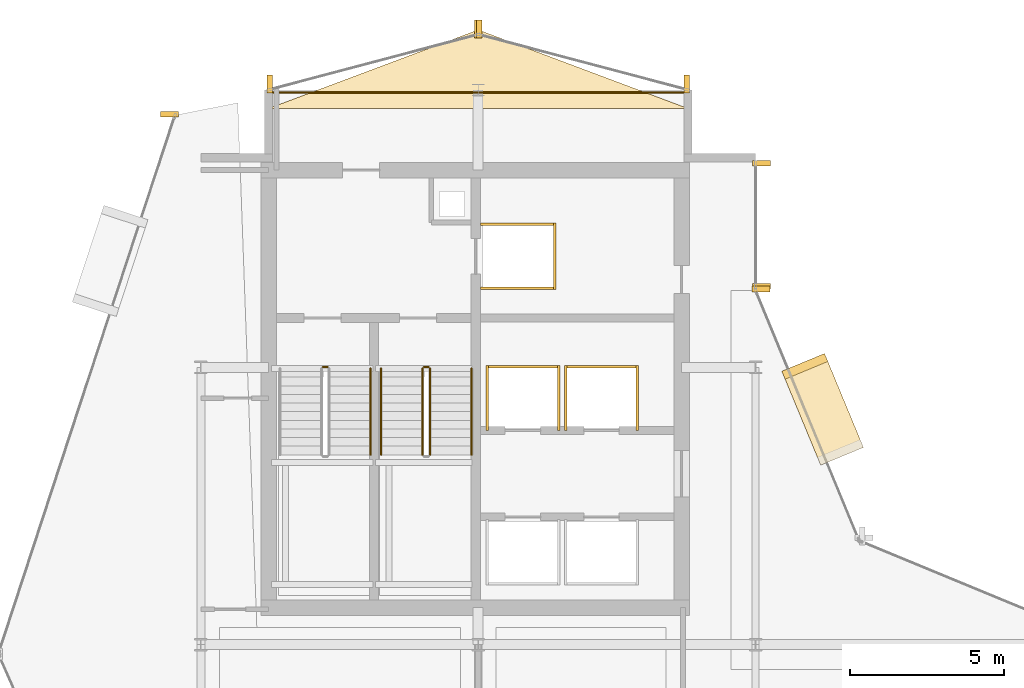
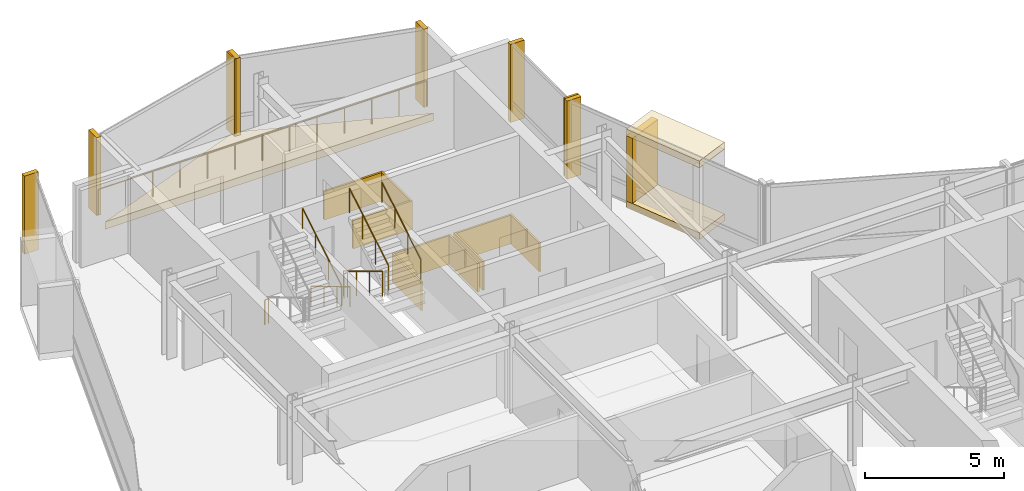
# One storey, part 28 of 28: 21 coverings, 8 railings.
"""IFC4 building model written with IfcOpenShell, lengths in metres."""

from ifc_helpers import new_model, si_unit, direction, frame, origin, origin_2d, place, context, subcontext, project, spatial, polyline, rectangle, circle, outline, extrude, material, layer, layer_set, type_object, element, save


model = new_model("IFC4")

# Units and contexts
model_context = context("Model", 3, precision=1e-05, world=origin(), true_north=direction((0.0, 1.0)))
body_context = subcontext(model_context, "Body", "Model", "MODEL_VIEW")
ifc_project = project(units=[si_unit("LENGTHUNIT", "METRE"), si_unit("AREAUNIT", "SQUARE_METRE"), si_unit("VOLUMEUNIT", "CUBIC_METRE"), si_unit("PLANEANGLEUNIT", "RADIAN"), si_unit("MASSUNIT", "GRAM", prefix="KILO")], contexts=[model_context])

# Site, building, storey
site_placement = place(None, origin())
site = spatial("IfcSite", under=ifc_project, at=site_placement, CompositionType="ELEMENT")
building_placement = place(site_placement, origin())
building = spatial("IfcBuilding", under=site, at=building_placement, Name="Solvaryn Broadcast Tower", CompositionType="ELEMENT")
storey_placement = place(building_placement, frame((0.0, 0.0, 213.60009765625)))
storey = spatial("IfcBuildingStorey", under=building, at=storey_placement, Name="L53", CompositionType="ELEMENT", Elevation=213.60009765625)

# Coverings
ifc_material_1 = material(Name="Fire-Rated Gypsum Shaftwall Liner", Category="concrete")
ifc_layer_1 = layer(ifc_material_1, 0.080078125)
ifc_layer_set_1 = layer_set([ifc_layer_1], Name="CV-SHAFT-LINER")
covering_type_1 = type_object("IfcCoveringType", Name="CV-SHAFT-LINER", PredefinedType="CLADDING", material=ifc_layer_set_1)
for number, where, z_axis, x_axis, name in (
    (1, (19.300048828125, 40.639892578125, 0.0), (0.0, 0.0, 1.0), (1.0, 0.0, 0.0), "L53 FL1 Hoistway Shaft Liner North"),
    (2, (19.300048828125, 38.56005859375, 0.0), (0.0, 0.0, 1.0), (1.0, 0.0, 0.0), "L53 FL1 Hoistway Shaft Liner South"),
):
    element("IfcCovering", number, at=place(storey_placement, frame(where, z_axis=z_axis, x_axis=x_axis)), inside=storey, type_object=covering_type_1, Name=name, PredefinedType="CLADDING", context=body_context, shape_type="SweptSolid", body=[
        extrude(rectangle(XDim=2.4599609375, YDim=0.080078125, at=origin_2d()), origin(), (0.0, 0.0, 1.0), 1.25),
    ])
covering_1_placement = place(storey_placement, frame((20.489990234375, 39.60009765625, 0.0), z_axis=(0.0, 0.0, 1.0), x_axis=(1.0, 0.0, 0.0)))
element("IfcCovering", 3, at=covering_1_placement, inside=storey, type_object=covering_type_1, Name="L53 FL1 Hoistway Shaft Liner East", PredefinedType="CLADDING", context=body_context, shape_type="SweptSolid", body=[
    extrude(rectangle(XDim=0.080078125, YDim=2.159912109375, at=origin_2d()), origin(), (0.0, 0.0, 1.0), 1.25),
])
covering_2_placement = place(storey_placement, frame((19.449951171875, 36.014892578125, 0.0), z_axis=(0.0, 0.0, 1.0), x_axis=(1.0, 0.0, 0.0)))
element("IfcCovering", 4, at=covering_2_placement, inside=storey, type_object=covering_type_1, Name="L53 PH3 Hoistway Shaft Liner North", PredefinedType="CLADDING", context=body_context, shape_type="SweptSolid", body=[
    extrude(rectangle(XDim=2.409912109375, YDim=0.080078125, at=origin_2d()), origin(), (0.0, 0.0, 1.0), 1.25),
])
for number, where, z_axis, x_axis, name in (
    (5, (20.614990234375, 35.0, 0.0), (0.0, 0.0, 1.0), (1.0, 0.0, 0.0), "L53 PH3 Hoistway Shaft Liner East"),
    (6, (18.284912109375, 35.0, 0.0), (0.0, 0.0, 1.0), (1.0, 0.0, 0.0), "L53 PH3 Hoistway Shaft Liner West"),
):
    element("IfcCovering", number, at=place(storey_placement, frame(where, z_axis=z_axis, x_axis=x_axis)), inside=storey, type_object=covering_type_1, Name=name, PredefinedType="CLADDING", context=body_context, shape_type="SweptSolid", body=[
        extrude(rectangle(XDim=0.080078125, YDim=2.110107421875, at=origin_2d()), origin(), (0.0, 0.0, 1.0), 1.25),
    ])
covering_3_placement = place(storey_placement, frame((22.0, 36.014892578125, 0.0), z_axis=(0.0, 0.0, 1.0), x_axis=(1.0, 0.0, 0.0)))
element("IfcCovering", 7, at=covering_3_placement, inside=storey, type_object=covering_type_1, Name="L53 PH4 Hoistway Shaft Liner North", PredefinedType="CLADDING", context=body_context, shape_type="SweptSolid", body=[
    extrude(rectangle(XDim=2.409912109375, YDim=0.080078125, at=origin_2d()), origin(), (0.0, 0.0, 1.0), 1.25),
])
for number, where, z_axis, x_axis, name in (
    (8, (23.1650390625, 35.0, 0.0), (0.0, 0.0, 1.0), (1.0, 0.0, 0.0), "L53 PH4 Hoistway Shaft Liner East"),
    (9, (20.8349609375, 35.0, 0.0), (0.0, 0.0, 1.0), (1.0, 0.0, 0.0), "L53 PH4 Hoistway Shaft Liner West"),
):
    element("IfcCovering", number, at=place(storey_placement, frame(where, z_axis=z_axis, x_axis=x_axis)), inside=storey, type_object=covering_type_1, Name=name, PredefinedType="CLADDING", context=body_context, shape_type="SweptSolid", body=[
        extrude(rectangle(XDim=0.080078125, YDim=2.110107421875, at=origin_2d()), origin(), (0.0, 0.0, 1.0), 1.25),
    ])
ifc_material_2 = material(Name="Glazed Architectural Terracotta Rainscreen Cladding", Category="masonry")
ifc_layer_2 = layer(ifc_material_2, 0.280029296875)
ifc_layer_set_2 = layer_set([ifc_layer_2], Name="CV-TC-CLAD")
covering_type_2 = type_object("IfcCoveringType", Name="CV-TC-CLAD", PredefinedType="CLADDING", material=ifc_layer_set_2)
for number, where, z_axis, x_axis, name in (
    (10, (29.174072265625, 34.636962890625, 3.1298828125), (0.0, 0.0, 1.0), (-0.382683432365, 0.923879532511, 0.0), "L53 Projecting Stone Window Box Hood 5"),
    (11, (29.174072265625, 34.636962890625, -0.01025390625), (0.0, 0.0, 1.0), (-0.382683432365, 0.923879532511, 0.0), "L53 Projecting Stone Window Box Sill 5"),
):
    element("IfcCovering", number, at=place(storey_placement, frame(where, z_axis=z_axis, x_axis=x_axis)), inside=storey, type_object=covering_type_2, Name=name, PredefinedType="CLADDING", context=body_context, shape_type="SweptSolid", body=[
        extrude(rectangle(XDim=3.300048828125, YDim=1.5, at=origin_2d()), origin(), (0.0, 0.0, 1.0), 0.300048828125),
    ])
covering_4_placement = place(storey_placement, frame((28.59619140625, 36.031982421875, 0.27978515625), z_axis=(0.0, 0.0, 1.0), x_axis=(-0.382683432365, 0.923879532511, 0.0)))
element("IfcCovering", 12, at=covering_4_placement, inside=storey, type_object=covering_type_2, Name="L53 Projecting Stone Window Box Cheek 5-2", PredefinedType="CLADDING", context=body_context, shape_type="SweptSolid", body=[
    extrude(rectangle(XDim=0.280029296875, YDim=1.5, at=origin_2d()), origin(), (0.0, 0.0, 1.0), 2.860107421875),
])
ifc_material_3 = material(Name="Extruded Architectural Terracotta Fin", Category="masonry")
ifc_layer_3 = layer(ifc_material_3, 0.179931640625)
ifc_layer_set_3 = layer_set([ifc_layer_3], Name="CV-TC-FIN")
covering_type_3 = type_object("IfcCoveringType", Name="CV-TC-FIN", PredefinedType="USERDEFINED", material=ifc_layer_set_3)
for number, where, z_axis, x_axis, name in (
    (13, (7.982666015625, 44.209716796875, 0.0), (0.0, 0.0, 1.0), (1.0, 0.0, 0.0), "L53 Terracotta Vertical Fin FIN-L53-DR1-M00"),
    (14, (27.1875, 42.6201171875, 0.0), (0.0, 0.0, 1.0), (1.0, 0.0, 0.0), "L53 Terracotta Vertical Fin FIN-L53-IV-M00"),
    (15, (27.1875, 38.6298828125, 0.0), (0.0, 0.0, 1.0), (1.0, 0.0, 0.0), "L53 Terracotta Vertical Fin FIN-L53-IV-M01"),
    (16, (27.177978515625, 38.541259765625, 0.0), (0.0, 0.0, 1.0), (1.0, 0.0, 0.0), "L53 Terracotta Vertical Fin FIN-L53-CN2-M01"),
):
    element("IfcCovering", number, at=place(storey_placement, frame(where, z_axis=z_axis, x_axis=x_axis)), inside=storey, type_object=covering_type_3, Name=name, ObjectType="FIN", PredefinedType="USERDEFINED", context=body_context, shape_type="SweptSolid", body=[
        extrude(rectangle(XDim=0.580078125, YDim=0.179931640625, at=origin_2d()), origin(), (0.0, 0.0, 1.0), 3.419921875),
    ])
for number, where, z_axis, x_axis, name in (
    (17, (24.77099609375, 45.1953125, 0.0), (0.0, 0.0, 1.0), (1.0, 0.0, 0.0), "L53 Terracotta Vertical Fin FIN-L53-NT1-M00"),
    (18, (18.029052734375, 46.979736328125, 0.0), (0.0, 0.0, 1.0), (1.0, 0.0, 0.0), "L53 Terracotta Vertical Fin FIN-L53-NT1-M01"),
    (19, (17.970947265625, 46.979736328125, 0.0), (0.0, 0.0, 1.0), (1.0, 0.0, 0.0), "L53 Terracotta Vertical Fin FIN-L53-NT2-M00"),
    (20, (11.22900390625, 45.1953125, 0.0), (0.0, 0.0, 1.0), (1.0, 0.0, 0.0), "L53 Terracotta Vertical Fin FIN-L53-NT2-M01"),
):
    element("IfcCovering", number, at=place(storey_placement, frame(where, z_axis=z_axis, x_axis=x_axis)), inside=storey, type_object=covering_type_3, Name=name, ObjectType="FIN", PredefinedType="USERDEFINED", context=body_context, shape_type="SweptSolid", body=[
        extrude(rectangle(XDim=0.179931640625, YDim=0.580078125, at=origin_2d()), origin(), (0.0, 0.0, 1.0), 3.419921875),
    ])
ifc_material_4 = material(Name="Sculpted Architectural Terracotta Wave Fascia", Category="masonry")
ifc_layer_4 = layer(ifc_material_4, 0.340087890625)
ifc_layer_set_4 = layer_set([ifc_layer_4], Name="CV-WAVE-TRAY")
covering_type_4 = type_object("IfcCoveringType", Name="CV-WAVE-TRAY", PredefinedType="CLADDING", material=ifc_layer_set_4)
covering_5_placement = place(storey_placement, frame((0.0, 0.0, -0.300048828125)))
element("IfcCovering", 21, at=covering_5_placement, inside=storey, type_object=covering_type_4, Name="L53 North Curved Wing Deck", PredefinedType="CLADDING", context=body_context, shape_type="SweptSolid", body=[
    extrude(outline(polyline([(11.199951171875, 44.39990234375), (24.800048828125, 44.39990234375), (18.0, 46.949951171875), (11.199951171875, 44.39990234375)])), origin(), (0.0, 0.0, 1.0), 0.329833984375),
])

# Railings
ifc_material_5 = material(Name="Painted Steel Stair Well Guard", Category="steel")
railing_type_1 = type_object("IfcRailingType", Name="RL-STAIR-GUARD", PredefinedType="BALUSTRADE", material=ifc_material_5)
railing_1_placement = place(storey_placement, frame((12.9599609375, 36.010009765625, 0.0)))
element("IfcRailing", 22, at=railing_1_placement, inside=storey, type_object=railing_type_1, Name="L53 ST1 stair guard 4", PredefinedType="BALUSTRADE", context=body_context, shape_type="SweptSolid", body=[
    extrude(circle(Radius=0.02392578125, at=origin_2d()), frame((0.0, 0.0, 1.076171875), z_axis=(1.0, 0.0, 0.0), x_axis=(0.0, 1.0, 0.0)), (0.0, 0.0, 1.0), 0.150146484375),
    extrude(circle(Radius=0.02099609375, at=origin_2d()), origin(), (0.0, 0.0, 1.0), 1.052001953125),
    extrude(circle(Radius=0.02099609375, at=origin_2d()), frame((0.150146484375, 0.0, 0.0)), (0.0, 0.0, 1.0), 1.052001953125),
])
railing_2_placement = place(storey_placement, frame((16.18994140625, 35.9599609375, 0.16796875)))
element("IfcRailing", 23, at=railing_2_placement, inside=storey, type_object=railing_type_1, Name="L53 ST2 stair guard 1", PredefinedType="BALUSTRADE", context=body_context, shape_type="SweptSolid", body=[
    extrude(circle(Radius=0.02392578125, at=origin_2d()), frame((0.0, 0.0, 1.076171875), z_axis=(0.0, -0.857242210791, 0.514913383045), x_axis=(1.0, 0.0, 0.0)), (0.0, 0.0, 1.0), 3.266357421875),
    extrude(circle(Radius=0.02099609375, at=origin_2d()), origin(), (0.0, 0.0, 1.0), 1.052001953125),
    extrude(circle(Radius=0.02099609375, at=origin_2d()), frame((0.0, -0.933349609375, 0.560546875)), (0.0, 0.0, 1.0), 1.052001953125),
    extrude(circle(Radius=0.02099609375, at=origin_2d()), frame((0.0, -1.86669921875, 1.121337890625)), (0.0, 0.0, 1.0), 1.052001953125),
    extrude(circle(Radius=0.02099609375, at=origin_2d()), frame((0.0, -2.800048828125, 1.681884765625)), (0.0, 0.0, 1.0), 1.052001953125),
])
railing_3_placement = place(storey_placement, frame((16.43994140625, 33.159912109375, 2.01806640625)))
element("IfcRailing", 24, at=railing_3_placement, inside=storey, type_object=railing_type_1, Name="L53 ST2 stair guard 3", PredefinedType="BALUSTRADE", context=body_context, shape_type="SweptSolid", body=[
    extrude(circle(Radius=0.02392578125, at=origin_2d()), frame((0.0, 0.0, 1.076171875), z_axis=(0.0, 0.857242210791, 0.514913383045), x_axis=(-1.0, 0.0, 0.0)), (0.0, 0.0, 1.0), 3.266357421875),
    extrude(circle(Radius=0.02099609375, at=origin_2d()), origin(), (0.0, 0.0, 1.0), 1.052001953125),
    extrude(circle(Radius=0.02099609375, at=origin_2d()), frame((0.0, 0.933349609375, 0.560546875)), (0.0, 0.0, 1.0), 1.052001953125),
    extrude(circle(Radius=0.02099609375, at=origin_2d()), frame((0.0, 1.86669921875, 1.121337890625)), (0.0, 0.0, 1.0), 1.052001953125),
    extrude(circle(Radius=0.02099609375, at=origin_2d()), frame((0.0, 2.800048828125, 1.681884765625)), (0.0, 0.0, 1.0), 1.052001953125),
])
railing_4_placement = place(storey_placement, frame((16.239990234375, 36.010009765625, 0.0)))
element("IfcRailing", 25, at=railing_4_placement, inside=storey, type_object=railing_type_1, Name="L53 ST2 stair guard 4", PredefinedType="BALUSTRADE", context=body_context, shape_type="SweptSolid", body=[
    extrude(circle(Radius=0.02392578125, at=origin_2d()), frame((0.0, 0.0, 1.076171875), z_axis=(1.0, 0.0, 0.0), x_axis=(0.0, 1.0, 0.0)), (0.0, 0.0, 1.0), 0.14990234375),
    extrude(circle(Radius=0.02099609375, at=origin_2d()), origin(), (0.0, 0.0, 1.0), 1.052001953125),
    extrude(circle(Radius=0.02099609375, at=origin_2d()), frame((0.14990234375, 0.0, 0.0)), (0.0, 0.0, 1.0), 1.052001953125),
])
ifc_material_6 = material(Name="Brushed Stainless Steel Tubular Handrail", Category="steel")
railing_type_2 = type_object("IfcRailingType", Name="RL-STAIR-HANDRAIL", PredefinedType="HANDRAIL", material=ifc_material_6)
railing_5_placement = place(storey_placement, frame((14.5, 33.159912109375, 2.01806640625)))
element("IfcRailing", 26, at=railing_5_placement, inside=storey, type_object=railing_type_2, Name="L53 ST1 stair handrail 2", PredefinedType="HANDRAIL", context=body_context, shape_type="SweptSolid", body=[
    extrude(circle(Radius=0.02392578125, at=origin_2d()), frame((0.0, 0.0, 0.8759765625), z_axis=(0.0, 0.857242210791, 0.514913383045), x_axis=(-1.0, 0.0, 0.0)), (0.0, 0.0, 1.0), 3.266357421875),
    extrude(circle(Radius=0.02099609375, at=origin_2d()), origin(), (0.0, 0.0, 1.0), 0.851806640625),
    extrude(circle(Radius=0.02099609375, at=origin_2d()), frame((0.0, 0.933349609375, 0.560546875)), (0.0, 0.0, 1.0), 0.851806640625),
    extrude(circle(Radius=0.02099609375, at=origin_2d()), frame((0.0, 1.86669921875, 1.121337890625)), (0.0, 0.0, 1.0), 0.851806640625),
    extrude(circle(Radius=0.02099609375, at=origin_2d()), frame((0.0, 2.800048828125, 1.681884765625)), (0.0, 0.0, 1.0), 0.851806640625),
])
railing_6_placement = place(storey_placement, frame((14.85009765625, 35.9599609375, 0.16796875)))
element("IfcRailing", 27, at=railing_6_placement, inside=storey, type_object=railing_type_2, Name="L53 ST2 stair handrail 1", PredefinedType="HANDRAIL", context=body_context, shape_type="SweptSolid", body=[
    extrude(circle(Radius=0.02392578125, at=origin_2d()), frame((0.0, 0.0, 0.8759765625), z_axis=(0.0, -0.857242210791, 0.514913383045), x_axis=(1.0, 0.0, 0.0)), (0.0, 0.0, 1.0), 3.266357421875),
    extrude(circle(Radius=0.02099609375, at=origin_2d()), origin(), (0.0, 0.0, 1.0), 0.851806640625),
    extrude(circle(Radius=0.02099609375, at=origin_2d()), frame((0.0, -0.933349609375, 0.560546875)), (0.0, 0.0, 1.0), 0.851806640625),
    extrude(circle(Radius=0.02099609375, at=origin_2d()), frame((0.0, -1.86669921875, 1.121337890625)), (0.0, 0.0, 1.0), 0.851806640625),
    extrude(circle(Radius=0.02099609375, at=origin_2d()), frame((0.0, -2.800048828125, 1.681884765625)), (0.0, 0.0, 1.0), 0.851806640625),
])
railing_7_placement = place(storey_placement, frame((17.780029296875, 33.159912109375, 2.01806640625)))
element("IfcRailing", 28, at=railing_7_placement, inside=storey, type_object=railing_type_2, Name="L53 ST2 stair handrail 2", PredefinedType="HANDRAIL", context=body_context, shape_type="SweptSolid", body=[
    extrude(circle(Radius=0.02392578125, at=origin_2d()), frame((0.0, 0.0, 0.8759765625), z_axis=(0.0, 0.857242210791, 0.514913383045), x_axis=(-1.0, 0.0, 0.0)), (0.0, 0.0, 1.0), 3.266357421875),
    extrude(circle(Radius=0.02099609375, at=origin_2d()), origin(), (0.0, 0.0, 1.0), 0.851806640625),
    extrude(circle(Radius=0.02099609375, at=origin_2d()), frame((0.0, 0.933349609375, 0.560546875)), (0.0, 0.0, 1.0), 0.851806640625),
    extrude(circle(Radius=0.02099609375, at=origin_2d()), frame((0.0, 1.86669921875, 1.121337890625)), (0.0, 0.0, 1.0), 0.851806640625),
    extrude(circle(Radius=0.02099609375, at=origin_2d()), frame((0.0, 2.800048828125, 1.681884765625)), (0.0, 0.0, 1.0), 0.851806640625),
])
ifc_material_7 = material(Name="Stainless Steel and Laminated Glass Guard", Category="steel")
railing_type_3 = type_object("IfcRailingType", Name="RL-TER-1150", PredefinedType="BALUSTRADE", material=ifc_material_7)
railing_8_placement = place(storey_placement, frame((11.199951171875, 44.919921875, 0.0)))
element("IfcRailing", 29, at=railing_8_placement, inside=storey, type_object=railing_type_3, Name="L53 North Wing Spandrel Edge Guard", PredefinedType="BALUSTRADE", context=body_context, shape_type="SweptSolid", body=[
    extrude(circle(Radius=0.02392578125, at=origin_2d()), frame((0.0, 0.0, 1.1259765625), z_axis=(1.0, 0.0, 0.0), x_axis=(0.0, 1.0, 0.0)), (0.0, 0.0, 1.0), 13.60009765625),
    extrude(circle(Radius=0.02099609375, at=origin_2d()), origin(), (0.0, 0.0, 1.0), 1.101806640625),
    extrude(circle(Radius=0.02099609375, at=origin_2d()), frame((1.13330078125, 0.0, 0.0)), (0.0, 0.0, 1.0), 1.101806640625),
    extrude(circle(Radius=0.02099609375, at=origin_2d()), frame((2.2666015625, 0.0, 0.0)), (0.0, 0.0, 1.0), 1.101806640625),
    extrude(circle(Radius=0.02099609375, at=origin_2d()), frame((3.39990234375, 0.0, 0.0)), (0.0, 0.0, 1.0), 1.101806640625),
    extrude(circle(Radius=0.02099609375, at=origin_2d()), frame((4.533447265625, 0.0, 0.0)), (0.0, 0.0, 1.0), 1.101806640625),
    extrude(circle(Radius=0.02099609375, at=origin_2d()), frame((5.666748046875, 0.0, 0.0)), (0.0, 0.0, 1.0), 1.101806640625),
    extrude(circle(Radius=0.02099609375, at=origin_2d()), frame((6.800048828125, 0.0, 0.0)), (0.0, 0.0, 1.0), 1.101806640625),
    extrude(circle(Radius=0.02099609375, at=origin_2d()), frame((7.933349609375, 0.0, 0.0)), (0.0, 0.0, 1.0), 1.101806640625),
    extrude(circle(Radius=0.02099609375, at=origin_2d()), frame((9.066650390625, 0.0, 0.0)), (0.0, 0.0, 1.0), 1.101806640625),
    extrude(circle(Radius=0.02099609375, at=origin_2d()), frame((10.2001953125, 0.0, 0.0)), (0.0, 0.0, 1.0), 1.101806640625),
    extrude(circle(Radius=0.02099609375, at=origin_2d()), frame((11.33349609375, 0.0, 0.0)), (0.0, 0.0, 1.0), 1.101806640625),
    extrude(circle(Radius=0.02099609375, at=origin_2d()), frame((12.466796875, 0.0, 0.0)), (0.0, 0.0, 1.0), 1.101806640625),
    extrude(circle(Radius=0.02099609375, at=origin_2d()), frame((13.60009765625, 0.0, 0.0)), (0.0, 0.0, 1.0), 1.101806640625),
])

save(model, "model.ifc")
